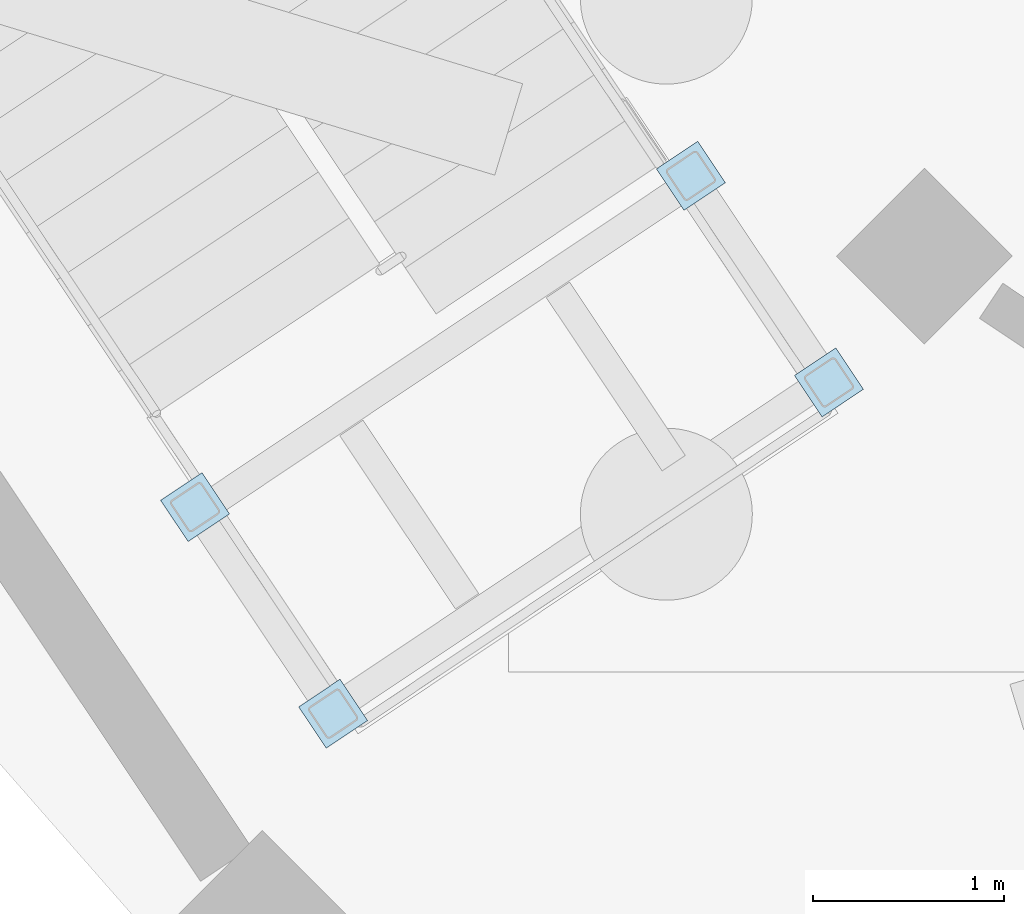
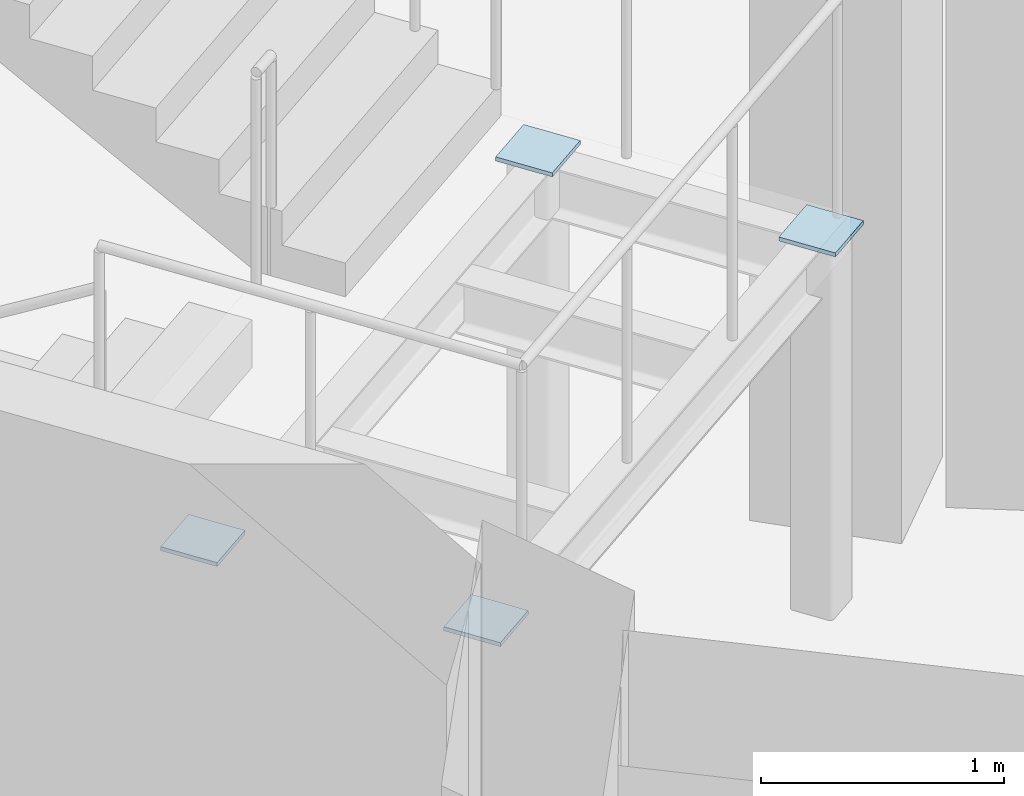
# One storey, part 38 of 58: 4 plates.
"""IFC4 building model written with IfcOpenShell, lengths in metres."""

import ifcopenshell
import ifcopenshell.guid

model = None  # the IFC model being written
_history = None  # IfcOwnerHistory: only IFC2X3 demands one
_inside = {}  # id of a spatial element -> (the spatial element, [elements in it])
_under = {}  # id of a project, library or spatial element -> (it, [spatial elements below it])
_declared = {}  # id of a project -> (the project, [libraries it declares])
_typed = {}  # id of a type object -> (the type object, [elements of that type])
_made_of = {}  # id of a material, layer set ... -> (it, [elements and type objects made of it])


def new_model(schema):
    """Start an empty IFC model of exactly this schema.

    Asked for "IFC4X3", IfcOpenShell would pick the latest addendum, in which some entities
    have other attributes; the version numbers below select the first issue.
    IFC2X3 requires an IfcOwnerHistory on every rooted entity: one is made here for all.
    """
    global model, _history
    if schema == "IFC4X3":
        model = ifcopenshell.file(schema_version=(4, 3, 0, 0))
    else:
        model = ifcopenshell.file(schema=schema)
    _inside.clear()
    _under.clear()
    _declared.clear()
    _typed.clear()
    _made_of.clear()
    _history = None
    if model.schema == "IFC2X3":
        org = make("IfcOrganization", Name="unknown")
        user = make(
            "IfcPersonAndOrganization",
            ThePerson=make("IfcPerson", FamilyName="unknown"),
            TheOrganization=org,
        )
        app = make(
            "IfcApplication",
            ApplicationDeveloper=org,
            Version="unknown",
            ApplicationFullName="unknown",
            ApplicationIdentifier="unknown",
        )
        _history = make(
            "IfcOwnerHistory",
            OwningUser=user,
            OwningApplication=app,
            ChangeAction="ADDED",
            CreationDate=0,
        )
    return model


def make(cls, **values):
    """One entity of the class cls with the attributes given. An attribute that is None is left unset."""
    return model.create_entity(
        cls, **{name: value for name, value in values.items() if value is not None}
    )


def rooted(cls, **values):
    """An entity with a GlobalId (a new one), such as an element, a storey or a relation."""
    return make(cls, GlobalId=ifcopenshell.guid.new(), OwnerHistory=_history, **values)


def si_unit(unit_type, name, prefix=None):
    """IfcSIUnit, for example si_unit("LENGTHUNIT", "METRE", prefix="MILLI")."""
    return make("IfcSIUnit", UnitType=unit_type, Prefix=prefix, Name=name)


def assignment(units):
    """IfcUnitAssignment: the units of a project."""
    return None if units is None else make("IfcUnitAssignment", Units=units)


def point(xyz):
    """IfcCartesianPoint."""
    return None if xyz is None else make("IfcCartesianPoint", Coordinates=xyz)


def direction(xyz):
    """IfcDirection."""
    return None if xyz is None else make("IfcDirection", DirectionRatios=xyz)


def frame(location, z_axis=None, x_axis=None):
    """IfcAxis2Placement3D, a coordinate frame: its origin and axes. An axis left out is left unset."""
    return make(
        "IfcAxis2Placement3D",
        Location=point(location),
        Axis=direction(z_axis),
        RefDirection=direction(x_axis),
    )


def frame_2d(location, x_axis=None):
    """IfcAxis2Placement2D, a coordinate frame in the plane: its origin and x axis."""
    return make(
        "IfcAxis2Placement2D", Location=point(location), RefDirection=direction(x_axis)
    )


def origin():
    """The frame at (0, 0, 0) with its axes left unset."""
    return frame((0.0, 0.0, 0.0))


def origin_2d():
    """The frame at (0, 0) in the plane with its x axis left unset."""
    return frame_2d((0.0, 0.0))


def place(relative_to, where):
    """IfcLocalPlacement: puts the frame where relative to a parent placement (None: the world)."""
    return make(
        "IfcLocalPlacement", PlacementRelTo=relative_to, RelativePlacement=where
    )


def context(
    kind, dimensions, precision=None, world=None, true_north=None, identifier=None
):
    """IfcGeometricRepresentationContext, for example the 3D "Model" context."""
    return make(
        "IfcGeometricRepresentationContext",
        ContextIdentifier=identifier,
        ContextType=kind,
        CoordinateSpaceDimension=dimensions,
        Precision=precision,
        WorldCoordinateSystem=world,
        TrueNorth=true_north,
    )


def subcontext(parent, identifier, kind, view, scale=None):
    """IfcGeometricRepresentationSubContext, for example "Body" below "Model"."""
    return make(
        "IfcGeometricRepresentationSubContext",
        ContextIdentifier=identifier,
        ContextType=kind,
        ParentContext=parent,
        TargetScale=scale,
        TargetView=view,
    )


def project(units=None, contexts=None):
    """IfcProject with its units and contexts."""
    return rooted(
        "IfcProject",
        Name="project",
        RepresentationContexts=contexts,
        UnitsInContext=assignment(units),
    )


def spatial(cls, under=None, at=None, **own):
    """A site, building, storey or space (cls), placed at a placement, below another one or the project."""
    s = rooted(cls, ObjectPlacement=at, **own)
    if under is not None:
        _under.setdefault(under.id(), (under, []))[1].append(s)
    return s


def profile(cls, at=None, kind="AREA", **sizes):
    """A parametric profile (cls). Its sizes go by their IFC names, for example OverallWidth=200.0."""
    return make(cls, ProfileType=kind, Position=at, **sizes)


def rectangle(**sizes):
    """IfcRectangleProfileDef."""
    return profile("IfcRectangleProfileDef", **sizes)


def extrude(swept, where, along, depth):
    """IfcExtrudedAreaSolid: the profile swept, set in the frame where, extruded along a direction by depth."""
    return make(
        "IfcExtrudedAreaSolid",
        SweptArea=swept,
        Position=where,
        ExtrudedDirection=direction(along),
        Depth=depth,
    )


def shape(context_of_items, identifier, shape_type, items):
    """IfcShapeRepresentation: the items that make up one representation, for example the "Body"."""
    return make(
        "IfcShapeRepresentation",
        ContextOfItems=context_of_items,
        RepresentationIdentifier=identifier,
        RepresentationType=shape_type,
        Items=items,
    )


def material(Name=None, Category=None):
    """IfcMaterial."""
    return make("IfcMaterial", Name=Name, Category=Category)


def layer(
    of_material, thickness, ventilated=None, Name=None, Category=None, Priority=None
):
    """IfcMaterialLayer: one layer of a wall or slab, of a material (None: an air gap)."""
    return make(
        "IfcMaterialLayer",
        Material=of_material,
        LayerThickness=thickness,
        IsVentilated=ventilated,
        Name=Name,
        Category=Category,
        Priority=Priority,
    )


def layer_set(layers, Name=None):
    """IfcMaterialLayerSet."""
    return make("IfcMaterialLayerSet", MaterialLayers=layers, LayerSetName=Name)


def made_of(thing, what):
    """Note that an element or type object is made of a material, layer set ...; save() writes the relation."""
    if what is not None:
        _made_of.setdefault(what.id(), (what, []))[1].append(thing)
    return thing


def type_object(cls, material=None, **own):
    """A type object (cls), such as IfcWallType, which elements share."""
    return made_of(rooted(cls, **own), material)


def element(
    cls,
    number,
    at=None,
    inside=None,
    cuts=None,
    type_object=None,
    material=None,
    context=None,
    identifier="Body",
    shape_type=None,
    held_by="IfcProductDefinitionShape",
    body=None,
    shapes=None,
    **own,
):
    """One element of the class cls, such as IfcWall. Its Tag is "e" and its number.

    at: its placement. inside: the storey or other place that contains it. cuts: it is an
    opening in that element (IfcRelVoidsElement). A single representation is given by context,
    identifier, shape_type and body (its items); several are given by shapes. held_by: the class
    of the entity that holds the representations. save() writes the other relations.
    """
    e = rooted(cls, Tag="e%d" % number, ObjectPlacement=at, **own)
    if body is not None:
        shapes = [shape(context, identifier, shape_type, body)]
    if shapes is not None:
        e.Representation = make(held_by, Representations=shapes)
    if inside is not None:
        _inside.setdefault(inside.id(), (inside, []))[1].append(e)
    if cuts is not None:
        rooted(
            "IfcRelVoidsElement", RelatingBuildingElement=cuts, RelatedOpeningElement=e
        )
    if type_object is not None:
        _typed.setdefault(type_object.id(), (type_object, []))[1].append(e)
    return made_of(e, material)


def aggregate(whole, parts):
    """IfcRelAggregates: a whole, such as a stair, and the parts it consists of."""
    return rooted("IfcRelAggregates", RelatingObject=whole, RelatedObjects=parts)


def save(model, path):
    """Write the relations noted so far, then the file.

    IfcRelAggregates (storeys below a building ...), IfcRelContainedInSpatialStructure (elements
    in a storey), IfcRelDefinesByType, IfcRelAssociatesMaterial and IfcRelDeclares: one each for
    every whole, place, type object, material and project.
    """
    for whole, parts in _under.values():
        aggregate(whole, parts)
    for where, things in _inside.values():
        rooted(
            "IfcRelContainedInSpatialStructure",
            RelatedElements=things,
            RelatingStructure=where,
        )
    for kind, things in _typed.values():
        rooted("IfcRelDefinesByType", RelatedObjects=things, RelatingType=kind)
    for what, things in _made_of.values():
        rooted("IfcRelAssociatesMaterial", RelatedObjects=things, RelatingMaterial=what)
    for by, libraries in _declared.values():
        rooted("IfcRelDeclares", RelatingContext=by, RelatedDefinitions=libraries)
    model.write(path)


model = new_model("IFC4")

# Units and contexts
model_context = context("Model", 3, precision=1e-05, world=origin(), true_north=direction((0.0, 1.0)))
body_context = subcontext(model_context, "Body", "Model", "MODEL_VIEW")
ifc_project = project(units=[si_unit("LENGTHUNIT", "METRE"), si_unit("AREAUNIT", "SQUARE_METRE"), si_unit("VOLUMEUNIT", "CUBIC_METRE"), si_unit("PLANEANGLEUNIT", "RADIAN"), si_unit("MASSUNIT", "GRAM", prefix="KILO")], contexts=[model_context])

# Site, building, storey
site_placement = place(None, origin())
site = spatial("IfcSite", under=ifc_project, at=site_placement, CompositionType="ELEMENT")
building_placement = place(site_placement, origin())
building = spatial("IfcBuilding", under=site, at=building_placement, Name="Caldaven Crescent School", CompositionType="ELEMENT")
storey_placement = place(building_placement, frame((0.0, 0.0, -4.080078125)))
storey = spatial("IfcBuildingStorey", under=building, at=storey_placement, Name="B1", CompositionType="ELEMENT", Elevation=-4.080078125)

# Plates
ifc_material = material(Name="Steel ASTM A572 Grade 50", Category="steel")
ifc_layer = layer(ifc_material, 0.02001953125)
ifc_layer_set = layer_set([ifc_layer], Name="Steel ASTM A572 Grade 50")
plate_type = type_object("IfcPlateType", Name="PLT-CAP20", PredefinedType="USERDEFINED", material=ifc_layer_set)
for number, where, z_axis, x_axis, name in (
    (1, (139.774658203125, 88.27734375, 1.860107421875), (0.0, 0.0, 1.0), (0.55557023302, -0.831469612303, 0.0), "CAP-STPOST-STB5-B1-A"),
    (2, (142.368896484375, 90.0107421875, 1.860107421875), (0.0, 0.0, 1.0), (0.55557023302, -0.831469612303, 0.0), "CAP-STPOST-STB5-B1-B"),
    (3, (140.4970703125, 87.196533203125, 1.860107421875), (0.0, 0.0, 1.0), (0.55557023302, -0.831469612303, 0.0), "CAP-STPOST-STB5-B1-C"),
    (4, (143.09130859375, 88.929931640625, 1.860107421875), (0.0, 0.0, 1.0), (0.55557023302, -0.831469612303, 0.0), "CAP-STPOST-STB5-B1-D"),
):
    element("IfcPlate", number, at=place(storey_placement, frame(where, z_axis=z_axis, x_axis=x_axis)), inside=storey, type_object=plate_type, Name=name, ObjectType="CAP_PLATE", PredefinedType="USERDEFINED", context=body_context, shape_type="SweptSolid", body=[
        extrude(rectangle(XDim=0.260009765625, YDim=0.260009765625, at=origin_2d()), origin(), (0.0, 0.0, 1.0), 0.02001953125),
    ])

save(model, "model.ifc")
